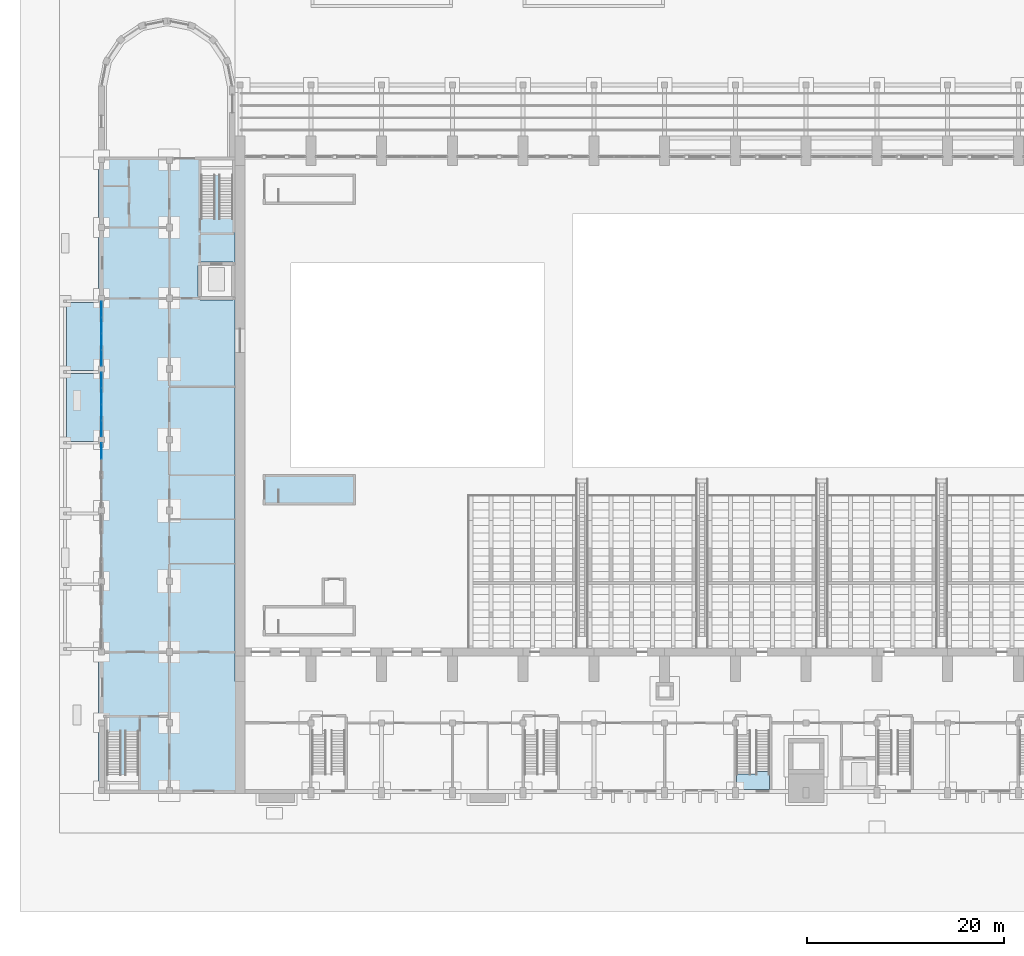
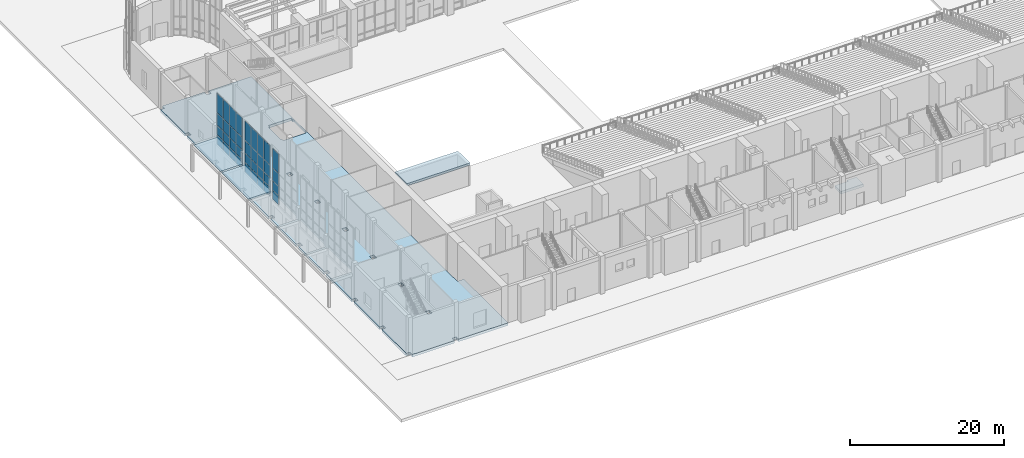
# One storey, part 29 of 70: 36 plates, 5 slabs, 4 elements without a shape of their own.
"""IFC4 building model written with IfcOpenShell, lengths in metres."""

from ifc_helpers import new_model, si_unit, direction, frame, origin, origin_2d, place, context, subcontext, project, spatial, polyline, rectangle, outline, extrude, material, layer, layer_set, type_object, element, aggregate, save


model = new_model("IFC4")

# Units and contexts
model_context = context("Model", 3, precision=1e-05, world=origin(), true_north=direction((0.0, 1.0)))
body_context = subcontext(model_context, "Body", "Model", "MODEL_VIEW")
ifc_project = project(units=[si_unit("LENGTHUNIT", "METRE"), si_unit("AREAUNIT", "SQUARE_METRE"), si_unit("VOLUMEUNIT", "CUBIC_METRE"), si_unit("PLANEANGLEUNIT", "RADIAN"), si_unit("MASSUNIT", "GRAM", prefix="KILO")], contexts=[model_context])

# Site, building, storey
site_placement = place(None, origin())
site = spatial("IfcSite", under=ifc_project, at=site_placement, CompositionType="ELEMENT")
building_placement = place(site_placement, origin())
building = spatial("IfcBuilding", under=site, at=building_placement, Name="Vermilion Court Aquatics Centre", CompositionType="ELEMENT")
storey_placement = place(building_placement, origin())
storey = spatial("IfcBuildingStorey", under=building, at=storey_placement, Name="L00", CompositionType="ELEMENT", Elevation=0.0)

# Slabs
ifc_material_1 = material(Name="Concrete 5000 psi", Category="concrete")
ifc_layer_1 = layer(ifc_material_1, 0.1201171875)
ifc_layer_set_1 = layer_set([ifc_layer_1], Name="Foyer canopy slab 120")
slab_type_1 = type_object("IfcSlabType", Name="Foyer canopy slab 120", PredefinedType="ROOF", material=ifc_layer_set_1)
slab_1_placement = place(storey_placement, frame((0.0, 0.0, 4.080078125)))
element("IfcSlab", 1, at=slab_1_placement, inside=storey, type_object=slab_type_1, Name="Foyer entrance canopy slab", PredefinedType="ROOF", context=body_context, shape_type="SweptSolid", body=[
    extrude(outline(polyline([(-3.25, 35.85009765625), (0.199951171875, 35.85009765625), (0.199951171875, 42.75), (-3.25, 42.75), (-3.25, 35.85009765625)])), origin(), (0.0, 0.0, 1.0), 0.119873046875),
])
slab_2_placement = place(storey_placement, frame((0.0, 0.0, 4.080078125)))
element("IfcSlab", 2, at=slab_2_placement, inside=storey, type_object=slab_type_1, Name="Foyer entrance canopy slab", PredefinedType="ROOF", context=body_context, shape_type="SweptSolid", body=[
    extrude(outline(polyline([(-3.25, 43.050048828125), (0.199951171875, 43.050048828125), (0.199951171875, 49.949951171875), (-3.25, 49.949951171875), (-3.25, 43.050048828125)])), origin(), (0.0, 0.0, 1.0), 0.119873046875),
])

# Curtain wall, plates
ifc_material_2 = material(Name="Aluminium 6063-T5", Category="aluminium")
curtain_wall_type = type_object("IfcCurtainWallType", Name="Foyer curtain wall", PredefinedType="NOTDEFINED", material=ifc_material_2)
curtain_wall_1_placement = place(storey_placement, origin())
curtain_wall_1 = element("IfcCurtainWall", 3, at=curtain_wall_1_placement, inside=storey, type_object=curtain_wall_type, Name="Foyer curtain wall 5", PredefinedType="NOTDEFINED")
ifc_material_3 = material(Name="Glazing", Category="glass")
ifc_layer_2 = layer(ifc_material_3, 0.028076171875)
ifc_layer_set_2 = layer_set([ifc_layer_2], Name="Foyer glazing panel 28")
plate_type_1 = type_object("IfcPlateType", Name="Foyer glazing panel 28", PredefinedType="CURTAIN_PANEL", material=ifc_layer_set_2)
plate_1_placement = place(storey_placement, frame((0.300048828125, 34.860107421875, 4.530029296875), z_axis=(0.0, 0.0, 1.0), x_axis=(0.0, 1.0, 0.0)))
plate_1 = element("IfcPlate", 4, at=plate_1_placement, type_object=plate_type_1, Name="FCW1 panel 4.2", PredefinedType="CURTAIN_PANEL", context=body_context, shape_type="SweptSolid", body=[
    extrude(rectangle(XDim=1.56005859375, YDim=0.028076171875, at=origin_2d()), origin(), (0.0, 0.0, 1.0), 1.43994140625),
])
plate_2_placement = place(storey_placement, frame((0.300048828125, 34.860107421875, 6.030029296875), z_axis=(0.0, 0.0, 1.0), x_axis=(0.0, 1.0, 0.0)))
plate_2 = element("IfcPlate", 5, at=plate_2_placement, type_object=plate_type_1, Name="FCW1 panel 4.3", PredefinedType="CURTAIN_PANEL", context=body_context, shape_type="SweptSolid", body=[
    extrude(rectangle(XDim=1.56005859375, YDim=0.028076171875, at=origin_2d()), origin(), (0.0, 0.0, 1.0), 1.93994140625),
])

curtain_wall_2_placement = place(storey_placement, origin())
curtain_wall_2 = element("IfcCurtainWall", 6, at=curtain_wall_2_placement, inside=storey, type_object=curtain_wall_type, Name="Foyer curtain wall 6", PredefinedType="NOTDEFINED")
plate_3_placement = place(storey_placement, frame((0.300048828125, 37.139892578125, 4.530029296875), z_axis=(0.0, 0.0, 1.0), x_axis=(0.0, 1.0, 0.0)))
plate_3 = element("IfcPlate", 7, at=plate_3_placement, type_object=plate_type_1, Name="FCW1 panel 1.2", PredefinedType="CURTAIN_PANEL", context=body_context, shape_type="SweptSolid", body=[
    extrude(rectangle(XDim=1.56005859375, YDim=0.028076171875, at=origin_2d()), origin(), (0.0, 0.0, 1.0), 1.43994140625),
])
plate_4_placement = place(storey_placement, frame((0.300048828125, 37.139892578125, 6.030029296875), z_axis=(0.0, 0.0, 1.0), x_axis=(0.0, 1.0, 0.0)))
plate_4 = element("IfcPlate", 8, at=plate_4_placement, type_object=plate_type_1, Name="FCW1 panel 1.3", PredefinedType="CURTAIN_PANEL", context=body_context, shape_type="SweptSolid", body=[
    extrude(rectangle(XDim=1.56005859375, YDim=0.028076171875, at=origin_2d()), origin(), (0.0, 0.0, 1.0), 1.93994140625),
])
plate_5_placement = place(storey_placement, frame((0.300048828125, 38.77490234375, 4.530029296875), z_axis=(0.0, 0.0, 1.0), x_axis=(0.0, 1.0, 0.0)))
plate_5 = element("IfcPlate", 9, at=plate_5_placement, type_object=plate_type_1, Name="FCW1 panel 2.2", PredefinedType="CURTAIN_PANEL", context=body_context, shape_type="SweptSolid", body=[
    extrude(rectangle(XDim=1.590087890625, YDim=0.028076171875, at=origin_2d()), origin(), (0.0, 0.0, 1.0), 1.43994140625),
])
plate_6_placement = place(storey_placement, frame((0.300048828125, 38.77490234375, 6.030029296875), z_axis=(0.0, 0.0, 1.0), x_axis=(0.0, 1.0, 0.0)))
plate_6 = element("IfcPlate", 10, at=plate_6_placement, type_object=plate_type_1, Name="FCW1 panel 2.3", PredefinedType="CURTAIN_PANEL", context=body_context, shape_type="SweptSolid", body=[
    extrude(rectangle(XDim=1.590087890625, YDim=0.028076171875, at=origin_2d()), origin(), (0.0, 0.0, 1.0), 1.93994140625),
])
plate_7_placement = place(storey_placement, frame((0.300048828125, 40.425048828125, 4.530029296875), z_axis=(0.0, 0.0, 1.0), x_axis=(0.0, 1.0, 0.0)))
plate_7 = element("IfcPlate", 11, at=plate_7_placement, type_object=plate_type_1, Name="FCW1 panel 3.2", PredefinedType="CURTAIN_PANEL", context=body_context, shape_type="SweptSolid", body=[
    extrude(rectangle(XDim=1.590087890625, YDim=0.028076171875, at=origin_2d()), origin(), (0.0, 0.0, 1.0), 1.43994140625),
])
plate_8_placement = place(storey_placement, frame((0.300048828125, 40.425048828125, 6.030029296875), z_axis=(0.0, 0.0, 1.0), x_axis=(0.0, 1.0, 0.0)))
plate_8 = element("IfcPlate", 12, at=plate_8_placement, type_object=plate_type_1, Name="FCW1 panel 3.3", PredefinedType="CURTAIN_PANEL", context=body_context, shape_type="SweptSolid", body=[
    extrude(rectangle(XDim=1.590087890625, YDim=0.028076171875, at=origin_2d()), origin(), (0.0, 0.0, 1.0), 1.93994140625),
])
plate_9_placement = place(storey_placement, frame((0.300048828125, 42.06005859375, 4.530029296875), z_axis=(0.0, 0.0, 1.0), x_axis=(0.0, 1.0, 0.0)))
plate_9 = element("IfcPlate", 13, at=plate_9_placement, type_object=plate_type_1, Name="FCW1 panel 4.2", PredefinedType="CURTAIN_PANEL", context=body_context, shape_type="SweptSolid", body=[
    extrude(rectangle(XDim=1.56005859375, YDim=0.028076171875, at=origin_2d()), origin(), (0.0, 0.0, 1.0), 1.43994140625),
])
plate_10_placement = place(storey_placement, frame((0.300048828125, 42.06005859375, 6.030029296875), z_axis=(0.0, 0.0, 1.0), x_axis=(0.0, 1.0, 0.0)))
plate_10 = element("IfcPlate", 14, at=plate_10_placement, type_object=plate_type_1, Name="FCW1 panel 4.3", PredefinedType="CURTAIN_PANEL", context=body_context, shape_type="SweptSolid", body=[
    extrude(rectangle(XDim=1.56005859375, YDim=0.028076171875, at=origin_2d()), origin(), (0.0, 0.0, 1.0), 1.93994140625),
])

curtain_wall_3_placement = place(storey_placement, origin())
curtain_wall_3 = element("IfcCurtainWall", 15, at=curtain_wall_3_placement, inside=storey, type_object=curtain_wall_type, Name="Foyer curtain wall 7", PredefinedType="NOTDEFINED")
plate_11_placement = place(storey_placement, frame((0.300048828125, 44.340087890625, 4.530029296875), z_axis=(0.0, 0.0, 1.0), x_axis=(0.0, 1.0, 0.0)))
plate_11 = element("IfcPlate", 16, at=plate_11_placement, type_object=plate_type_1, Name="FCW1 panel 1.2", PredefinedType="CURTAIN_PANEL", context=body_context, shape_type="SweptSolid", body=[
    extrude(rectangle(XDim=1.56005859375, YDim=0.028076171875, at=origin_2d()), origin(), (0.0, 0.0, 1.0), 1.43994140625),
])
plate_12_placement = place(storey_placement, frame((0.300048828125, 44.340087890625, 6.030029296875), z_axis=(0.0, 0.0, 1.0), x_axis=(0.0, 1.0, 0.0)))
plate_12 = element("IfcPlate", 17, at=plate_12_placement, type_object=plate_type_1, Name="FCW1 panel 1.3", PredefinedType="CURTAIN_PANEL", context=body_context, shape_type="SweptSolid", body=[
    extrude(rectangle(XDim=1.56005859375, YDim=0.028076171875, at=origin_2d()), origin(), (0.0, 0.0, 1.0), 1.93994140625),
])
plate_13_placement = place(storey_placement, frame((0.300048828125, 45.97509765625, 4.530029296875), z_axis=(0.0, 0.0, 1.0), x_axis=(0.0, 1.0, 0.0)))
plate_13 = element("IfcPlate", 18, at=plate_13_placement, type_object=plate_type_1, Name="FCW1 panel 2.2", PredefinedType="CURTAIN_PANEL", context=body_context, shape_type="SweptSolid", body=[
    extrude(rectangle(XDim=1.590087890625, YDim=0.028076171875, at=origin_2d()), origin(), (0.0, 0.0, 1.0), 1.43994140625),
])
plate_14_placement = place(storey_placement, frame((0.300048828125, 45.97509765625, 6.030029296875), z_axis=(0.0, 0.0, 1.0), x_axis=(0.0, 1.0, 0.0)))
plate_14 = element("IfcPlate", 19, at=plate_14_placement, type_object=plate_type_1, Name="FCW1 panel 2.3", PredefinedType="CURTAIN_PANEL", context=body_context, shape_type="SweptSolid", body=[
    extrude(rectangle(XDim=1.590087890625, YDim=0.028076171875, at=origin_2d()), origin(), (0.0, 0.0, 1.0), 1.93994140625),
])
plate_15_placement = place(storey_placement, frame((0.300048828125, 47.625, 4.530029296875), z_axis=(0.0, 0.0, 1.0), x_axis=(0.0, 1.0, 0.0)))
plate_15 = element("IfcPlate", 20, at=plate_15_placement, type_object=plate_type_1, Name="FCW1 panel 3.2", PredefinedType="CURTAIN_PANEL", context=body_context, shape_type="SweptSolid", body=[
    extrude(rectangle(XDim=1.590087890625, YDim=0.028076171875, at=origin_2d()), origin(), (0.0, 0.0, 1.0), 1.43994140625),
])
plate_16_placement = place(storey_placement, frame((0.300048828125, 47.625, 6.030029296875), z_axis=(0.0, 0.0, 1.0), x_axis=(0.0, 1.0, 0.0)))
plate_16 = element("IfcPlate", 21, at=plate_16_placement, type_object=plate_type_1, Name="FCW1 panel 3.3", PredefinedType="CURTAIN_PANEL", context=body_context, shape_type="SweptSolid", body=[
    extrude(rectangle(XDim=1.590087890625, YDim=0.028076171875, at=origin_2d()), origin(), (0.0, 0.0, 1.0), 1.93994140625),
])
plate_17_placement = place(storey_placement, frame((0.300048828125, 49.260009765625, 4.530029296875), z_axis=(0.0, 0.0, 1.0), x_axis=(0.0, 1.0, 0.0)))
plate_17 = element("IfcPlate", 22, at=plate_17_placement, type_object=plate_type_1, Name="FCW1 panel 4.2", PredefinedType="CURTAIN_PANEL", context=body_context, shape_type="SweptSolid", body=[
    extrude(rectangle(XDim=1.56005859375, YDim=0.028076171875, at=origin_2d()), origin(), (0.0, 0.0, 1.0), 1.43994140625),
])
plate_18_placement = place(storey_placement, frame((0.300048828125, 49.260009765625, 6.030029296875), z_axis=(0.0, 0.0, 1.0), x_axis=(0.0, 1.0, 0.0)))
plate_18 = element("IfcPlate", 23, at=plate_18_placement, type_object=plate_type_1, Name="FCW1 panel 4.3", PredefinedType="CURTAIN_PANEL", context=body_context, shape_type="SweptSolid", body=[
    extrude(rectangle(XDim=1.56005859375, YDim=0.028076171875, at=origin_2d()), origin(), (0.0, 0.0, 1.0), 1.93994140625),
])

# Slab
ifc_material_4 = material(Name="Concrete 5000 psi", Category="concrete")
ifc_layer_3 = layer(ifc_material_4, 0.405029296875)
ifc_layer_set_3 = layer_set([ifc_layer_3], Name="Foyer ground slab 405")
slab_type_2 = type_object("IfcSlabType", Name="Foyer ground slab 405", PredefinedType="BASESLAB", material=ifc_layer_set_3)
slab_3_placement = place(storey_placement, frame((0.0, 0.0, -0.405029296875)))
element("IfcSlab", 24, at=slab_3_placement, inside=storey, type_object=slab_type_2, Name="Foyer ground slab", PredefinedType="BASESLAB", context=body_context, shape_type="SweptSolid", body=[
    extrude(outline(polyline([(14.89990234375, 0.0), (13.89990234375, 0.0), (7.5, 0.0), (7.5, 0.60009765625), (6.89990234375, 0.60009765625), (6.89990234375, 0.0), (0.60009765625, 0.0), (0.60009765625, 0.60009765625), (0.0, 0.60009765625), (0.0, 6.89990234375), (0.60009765625, 6.89990234375), (0.60009765625, 7.5), (0.0, 7.5), (0.0, 14.10009765625), (0.60009765625, 14.10009765625), (0.60009765625, 14.699951171875), (0.0, 14.699951171875), (0.0, 21.300048828125), (0.60009765625, 21.300048828125), (0.60009765625, 21.89990234375), (0.0, 21.89990234375), (0.0, 28.5), (0.60009765625, 28.5), (0.60009765625, 29.10009765625), (0.0, 29.10009765625), (0.0, 35.699951171875), (0.60009765625, 35.699951171875), (0.60009765625, 36.300048828125), (0.0, 36.300048828125), (0.0, 42.89990234375), (0.60009765625, 42.89990234375), (0.60009765625, 43.5), (0.0, 43.5), (0.0, 50.10009765625), (0.60009765625, 50.10009765625), (0.60009765625, 50.699951171875), (0.0, 50.699951171875), (0.0, 57.300048828125), (0.60009765625, 57.300048828125), (0.60009765625, 57.89990234375), (0.0, 57.89990234375), (0.0, 64.199951171875), (0.60009765625, 64.199951171875), (0.60009765625, 64.800048828125), (6.89990234375, 64.800048828125), (6.89990234375, 64.10009765625), (7.5, 64.10009765625), (7.5, 64.800048828125), (13.89990234375, 64.800048828125), (13.89990234375, 11.39990234375), (14.89990234375, 11.39990234375), (14.89990234375, 0.0)]), holes=[polyline([(7.5, 7.550048828125), (6.89990234375, 7.550048828125), (6.89990234375, 6.85009765625), (7.5, 6.85009765625), (7.5, 7.550048828125)]), polyline([(7.5, 14.75), (6.89990234375, 14.75), (6.89990234375, 14.050048828125), (7.5, 14.050048828125), (7.5, 14.75)]), polyline([(7.5, 21.25), (7.5, 21.949951171875), (6.89990234375, 21.949951171875), (6.89990234375, 21.25), (7.5, 21.25)]), polyline([(7.5, 28.449951171875), (7.5, 29.14990234375), (6.89990234375, 29.14990234375), (6.89990234375, 28.449951171875), (7.5, 28.449951171875)]), polyline([(7.5, 36.35009765625), (6.89990234375, 36.35009765625), (6.89990234375, 35.64990234375), (7.5, 35.64990234375), (7.5, 36.35009765625)]), polyline([(7.5, 43.550048828125), (6.89990234375, 43.550048828125), (6.89990234375, 42.85009765625), (7.5, 42.85009765625), (7.5, 43.550048828125)]), polyline([(7.5, 50.75), (6.89990234375, 50.75), (6.89990234375, 50.050048828125), (7.5, 50.050048828125), (7.5, 50.75)]), polyline([(7.5, 57.25), (7.5, 57.949951171875), (6.89990234375, 57.949951171875), (6.89990234375, 57.25), (7.5, 57.25)]), polyline([(10.300048828125, 50.22509765625), (13.699951171875, 50.22509765625), (13.699951171875, 50.574951171875), (13.875, 50.574951171875), (13.875, 53.72509765625), (13.699951171875, 53.72509765625), (13.699951171875, 54.074951171875), (10.300048828125, 54.074951171875), (10.300048828125, 53.72509765625), (10.125, 53.72509765625), (10.125, 50.574951171875), (10.300048828125, 50.574951171875), (10.300048828125, 50.22509765625)])]), origin(), (0.0, 0.0, 1.0), 0.405029296875),
])

# Plate
ifc_material_5 = material(Name="Glazing", Category="glass")
ifc_layer_4 = layer(ifc_material_5, 0.0400390625)
ifc_layer_set_4 = layer_set([ifc_layer_4], Name="Foyer laminated safety panel 40")
plate_type_2 = type_object("IfcPlateType", Name="Foyer laminated safety panel 40", PredefinedType="CURTAIN_PANEL", material=ifc_layer_set_4)
plate_19_placement = place(storey_placement, frame((0.300048828125, 34.860107421875, 3.06005859375), z_axis=(0.0, 0.0, 1.0), x_axis=(0.0, 1.0, 0.0)))
plate_19 = element("IfcPlate", 25, at=plate_19_placement, type_object=plate_type_2, Name="FCW1 panel 4.1", PredefinedType="CURTAIN_PANEL", context=body_context, shape_type="SweptSolid", body=[
    extrude(rectangle(XDim=1.56005859375, YDim=0.0400390625, at=origin_2d()), origin(), (0.0, 0.0, 1.0), 1.409912109375),
])

plate_20_placement = place(storey_placement, frame((0.300048828125, 37.139892578125, 3.06005859375), z_axis=(0.0, 0.0, 1.0), x_axis=(0.0, 1.0, 0.0)))
plate_20 = element("IfcPlate", 26, at=plate_20_placement, type_object=plate_type_2, Name="FCW1 panel 1.1", PredefinedType="CURTAIN_PANEL", context=body_context, shape_type="SweptSolid", body=[
    extrude(rectangle(XDim=1.56005859375, YDim=0.0400390625, at=origin_2d()), origin(), (0.0, 0.0, 1.0), 1.409912109375),
])

plate_21_placement = place(storey_placement, frame((0.300048828125, 38.77490234375, 3.06005859375), z_axis=(0.0, 0.0, 1.0), x_axis=(0.0, 1.0, 0.0)))
plate_21 = element("IfcPlate", 27, at=plate_21_placement, type_object=plate_type_2, Name="FCW1 panel 2.1", PredefinedType="CURTAIN_PANEL", context=body_context, shape_type="SweptSolid", body=[
    extrude(rectangle(XDim=1.590087890625, YDim=0.0400390625, at=origin_2d()), origin(), (0.0, 0.0, 1.0), 1.409912109375),
])

plate_22_placement = place(storey_placement, frame((0.300048828125, 40.425048828125, 3.06005859375), z_axis=(0.0, 0.0, 1.0), x_axis=(0.0, 1.0, 0.0)))
plate_22 = element("IfcPlate", 28, at=plate_22_placement, type_object=plate_type_2, Name="FCW1 panel 3.1", PredefinedType="CURTAIN_PANEL", context=body_context, shape_type="SweptSolid", body=[
    extrude(rectangle(XDim=1.590087890625, YDim=0.0400390625, at=origin_2d()), origin(), (0.0, 0.0, 1.0), 1.409912109375),
])

plate_23_placement = place(storey_placement, frame((0.300048828125, 42.06005859375, 3.06005859375), z_axis=(0.0, 0.0, 1.0), x_axis=(0.0, 1.0, 0.0)))
plate_23 = element("IfcPlate", 29, at=plate_23_placement, type_object=plate_type_2, Name="FCW1 panel 4.1", PredefinedType="CURTAIN_PANEL", context=body_context, shape_type="SweptSolid", body=[
    extrude(rectangle(XDim=1.56005859375, YDim=0.0400390625, at=origin_2d()), origin(), (0.0, 0.0, 1.0), 1.409912109375),
])

plate_24_placement = place(storey_placement, frame((0.300048828125, 44.340087890625, 3.06005859375), z_axis=(0.0, 0.0, 1.0), x_axis=(0.0, 1.0, 0.0)))
plate_24 = element("IfcPlate", 30, at=plate_24_placement, type_object=plate_type_2, Name="FCW1 panel 1.1", PredefinedType="CURTAIN_PANEL", context=body_context, shape_type="SweptSolid", body=[
    extrude(rectangle(XDim=1.56005859375, YDim=0.0400390625, at=origin_2d()), origin(), (0.0, 0.0, 1.0), 1.409912109375),
])

plate_25_placement = place(storey_placement, frame((0.300048828125, 45.97509765625, 3.06005859375), z_axis=(0.0, 0.0, 1.0), x_axis=(0.0, 1.0, 0.0)))
plate_25 = element("IfcPlate", 31, at=plate_25_placement, type_object=plate_type_2, Name="FCW1 panel 2.1", PredefinedType="CURTAIN_PANEL", context=body_context, shape_type="SweptSolid", body=[
    extrude(rectangle(XDim=1.590087890625, YDim=0.0400390625, at=origin_2d()), origin(), (0.0, 0.0, 1.0), 1.409912109375),
])

plate_26_placement = place(storey_placement, frame((0.300048828125, 47.625, 3.06005859375), z_axis=(0.0, 0.0, 1.0), x_axis=(0.0, 1.0, 0.0)))
plate_26 = element("IfcPlate", 32, at=plate_26_placement, type_object=plate_type_2, Name="FCW1 panel 3.1", PredefinedType="CURTAIN_PANEL", context=body_context, shape_type="SweptSolid", body=[
    extrude(rectangle(XDim=1.590087890625, YDim=0.0400390625, at=origin_2d()), origin(), (0.0, 0.0, 1.0), 1.409912109375),
])

plate_27_placement = place(storey_placement, frame((0.300048828125, 49.260009765625, 3.06005859375), z_axis=(0.0, 0.0, 1.0), x_axis=(0.0, 1.0, 0.0)))
plate_27 = element("IfcPlate", 33, at=plate_27_placement, type_object=plate_type_2, Name="FCW1 panel 4.1", PredefinedType="CURTAIN_PANEL", context=body_context, shape_type="SweptSolid", body=[
    extrude(rectangle(XDim=1.56005859375, YDim=0.0400390625, at=origin_2d()), origin(), (0.0, 0.0, 1.0), 1.409912109375),
])

ifc_material_6 = material(Name="Glazing", Category="glass")
ifc_layer_5 = layer(ifc_material_6, 0.035888671875)
ifc_layer_set_5 = layer_set([ifc_layer_5], Name="Foyer triple glazing panel 36")
plate_type_3 = type_object("IfcPlateType", Name="Foyer triple glazing panel 36", PredefinedType="CURTAIN_PANEL", material=ifc_layer_set_5)
plate_28_placement = place(storey_placement, frame((0.300048828125, 34.860107421875, 8.030029296875), z_axis=(0.0, 0.0, 1.0), x_axis=(0.0, 1.0, 0.0)))
plate_28 = element("IfcPlate", 34, at=plate_28_placement, type_object=plate_type_3, Name="FCW1 panel 4.4", PredefinedType="CURTAIN_PANEL", context=body_context, shape_type="SweptSolid", body=[
    extrude(rectangle(XDim=1.56005859375, YDim=0.035888671875, at=origin_2d()), origin(), (0.0, 0.0, 1.0), 3.06005859375),
])

aggregate(curtain_wall_1, [plate_19, plate_1, plate_2, plate_28])

plate_29_placement = place(storey_placement, frame((0.300048828125, 37.139892578125, 8.030029296875), z_axis=(0.0, 0.0, 1.0), x_axis=(0.0, 1.0, 0.0)))
plate_29 = element("IfcPlate", 35, at=plate_29_placement, type_object=plate_type_3, Name="FCW1 panel 1.4", PredefinedType="CURTAIN_PANEL", context=body_context, shape_type="SweptSolid", body=[
    extrude(rectangle(XDim=1.56005859375, YDim=0.035888671875, at=origin_2d()), origin(), (0.0, 0.0, 1.0), 3.06005859375),
])

plate_30_placement = place(storey_placement, frame((0.300048828125, 38.77490234375, 8.030029296875), z_axis=(0.0, 0.0, 1.0), x_axis=(0.0, 1.0, 0.0)))
plate_30 = element("IfcPlate", 36, at=plate_30_placement, type_object=plate_type_3, Name="FCW1 panel 2.4", PredefinedType="CURTAIN_PANEL", context=body_context, shape_type="SweptSolid", body=[
    extrude(rectangle(XDim=1.590087890625, YDim=0.035888671875, at=origin_2d()), origin(), (0.0, 0.0, 1.0), 3.06005859375),
])

plate_31_placement = place(storey_placement, frame((0.300048828125, 40.425048828125, 8.030029296875), z_axis=(0.0, 0.0, 1.0), x_axis=(0.0, 1.0, 0.0)))
plate_31 = element("IfcPlate", 37, at=plate_31_placement, type_object=plate_type_3, Name="FCW1 panel 3.4", PredefinedType="CURTAIN_PANEL", context=body_context, shape_type="SweptSolid", body=[
    extrude(rectangle(XDim=1.590087890625, YDim=0.035888671875, at=origin_2d()), origin(), (0.0, 0.0, 1.0), 3.06005859375),
])

plate_32_placement = place(storey_placement, frame((0.300048828125, 42.06005859375, 8.030029296875), z_axis=(0.0, 0.0, 1.0), x_axis=(0.0, 1.0, 0.0)))
plate_32 = element("IfcPlate", 38, at=plate_32_placement, type_object=plate_type_3, Name="FCW1 panel 4.4", PredefinedType="CURTAIN_PANEL", context=body_context, shape_type="SweptSolid", body=[
    extrude(rectangle(XDim=1.56005859375, YDim=0.035888671875, at=origin_2d()), origin(), (0.0, 0.0, 1.0), 3.06005859375),
])

aggregate(curtain_wall_2, [plate_20, plate_3, plate_4, plate_29, plate_21, plate_5, plate_6, plate_30, plate_22, plate_7, plate_8, plate_31, plate_23, plate_9, plate_10, plate_32])

plate_33_placement = place(storey_placement, frame((0.300048828125, 44.340087890625, 8.030029296875), z_axis=(0.0, 0.0, 1.0), x_axis=(0.0, 1.0, 0.0)))
plate_33 = element("IfcPlate", 39, at=plate_33_placement, type_object=plate_type_3, Name="FCW1 panel 1.4", PredefinedType="CURTAIN_PANEL", context=body_context, shape_type="SweptSolid", body=[
    extrude(rectangle(XDim=1.56005859375, YDim=0.035888671875, at=origin_2d()), origin(), (0.0, 0.0, 1.0), 3.06005859375),
])

plate_34_placement = place(storey_placement, frame((0.300048828125, 45.97509765625, 8.030029296875), z_axis=(0.0, 0.0, 1.0), x_axis=(0.0, 1.0, 0.0)))
plate_34 = element("IfcPlate", 40, at=plate_34_placement, type_object=plate_type_3, Name="FCW1 panel 2.4", PredefinedType="CURTAIN_PANEL", context=body_context, shape_type="SweptSolid", body=[
    extrude(rectangle(XDim=1.590087890625, YDim=0.035888671875, at=origin_2d()), origin(), (0.0, 0.0, 1.0), 3.06005859375),
])

plate_35_placement = place(storey_placement, frame((0.300048828125, 47.625, 8.030029296875), z_axis=(0.0, 0.0, 1.0), x_axis=(0.0, 1.0, 0.0)))
plate_35 = element("IfcPlate", 41, at=plate_35_placement, type_object=plate_type_3, Name="FCW1 panel 3.4", PredefinedType="CURTAIN_PANEL", context=body_context, shape_type="SweptSolid", body=[
    extrude(rectangle(XDim=1.590087890625, YDim=0.035888671875, at=origin_2d()), origin(), (0.0, 0.0, 1.0), 3.06005859375),
])

plate_36_placement = place(storey_placement, frame((0.300048828125, 49.260009765625, 8.030029296875), z_axis=(0.0, 0.0, 1.0), x_axis=(0.0, 1.0, 0.0)))
plate_36 = element("IfcPlate", 42, at=plate_36_placement, type_object=plate_type_3, Name="FCW1 panel 4.4", PredefinedType="CURTAIN_PANEL", context=body_context, shape_type="SweptSolid", body=[
    extrude(rectangle(XDim=1.56005859375, YDim=0.035888671875, at=origin_2d()), origin(), (0.0, 0.0, 1.0), 3.06005859375),
])

aggregate(curtain_wall_3, [plate_24, plate_11, plate_12, plate_33, plate_25, plate_13, plate_14, plate_34, plate_26, plate_15, plate_16, plate_35, plate_27, plate_17, plate_18, plate_36])

# Slab
ifc_material_7 = material(Name="Concrete 5000 psi", Category="concrete")
ifc_layer_6 = layer(ifc_material_7, 0.35009765625)
ifc_layer_set_6 = layer_set([ifc_layer_6], Name="Hall stair lobby roof slab 350")
slab_type_3 = type_object("IfcSlabType", Name="Hall stair lobby roof slab 350", PredefinedType="ROOF", material=ifc_layer_set_6)
slab_4_placement = place(storey_placement, frame((0.0, 0.0, 3.199951171875)))
element("IfcSlab", 43, at=slab_4_placement, inside=storey, type_object=slab_type_3, Name="Stair lobby 2 roof slab", PredefinedType="ROOF", context=body_context, shape_type="SweptSolid", body=[
    extrude(outline(polyline([(16.75, 29.35009765625), (26.14990234375, 29.35009765625), (26.14990234375, 32.449951171875), (16.75, 32.449951171875), (16.75, 29.35009765625)])), origin(), (0.0, 0.0, 1.0), 0.35009765625),
])

# Stair, slab
ifc_material_8 = material(Name="Concrete 5000 psi", Category="concrete")
stair_type = type_object("IfcStairType", Name="South exit stair", PredefinedType="HALF_TURN_STAIR", material=ifc_material_8)
stair_placement = place(storey_placement, origin())
stair = element("IfcStair", 44, at=stair_placement, inside=storey, type_object=stair_type, Name="Exit stair S3", PredefinedType="HALF_TURN_STAIR")
ifc_material_9 = material(Name="Concrete 5000 psi", Category="concrete")
ifc_layer_7 = layer(ifc_material_9, 0.199951171875)
ifc_layer_set_7 = layer_set([ifc_layer_7], Name="South exit stair landing 200")
slab_type_4 = type_object("IfcSlabType", Name="South exit stair landing 200", PredefinedType="LANDING", material=ifc_layer_set_7)
slab_5_placement = place(storey_placement, frame((0.0, 0.0, 2.594970703125)))
slab_5 = element("IfcSlab", 45, at=slab_5_placement, type_object=slab_type_4, Name="SST1 landing 1", PredefinedType="LANDING", context=body_context, shape_type="SweptSolid", body=[
    extrude(outline(polyline([(64.925048828125, 0.39990234375), (68.27490234375, 0.39990234375), (68.27490234375, 2.219970703125), (66.875, 2.219970703125), (66.875, 1.969970703125), (64.925048828125, 1.969970703125), (64.925048828125, 0.39990234375)])), origin(), (0.0, 0.0, 1.0), 0.405029296875),
])
aggregate(stair, [slab_5])

save(model, "model.ifc")
